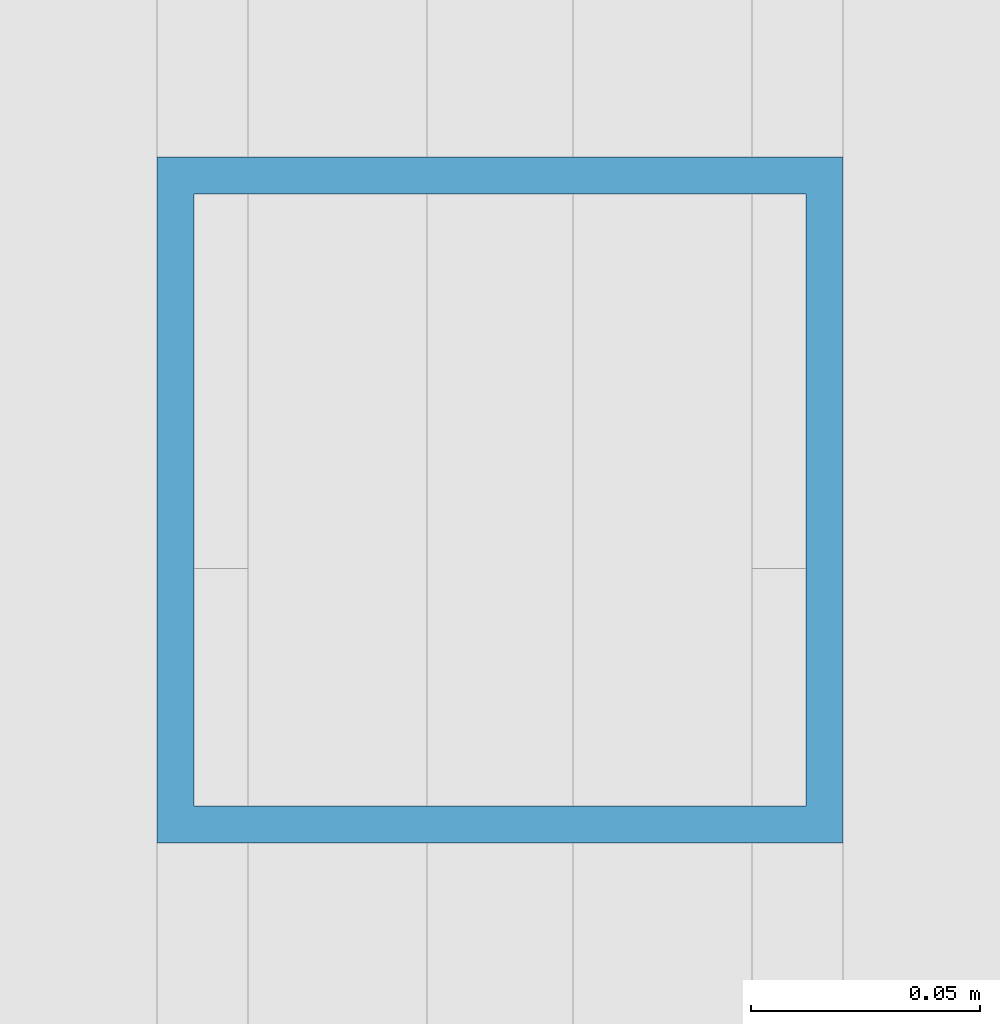
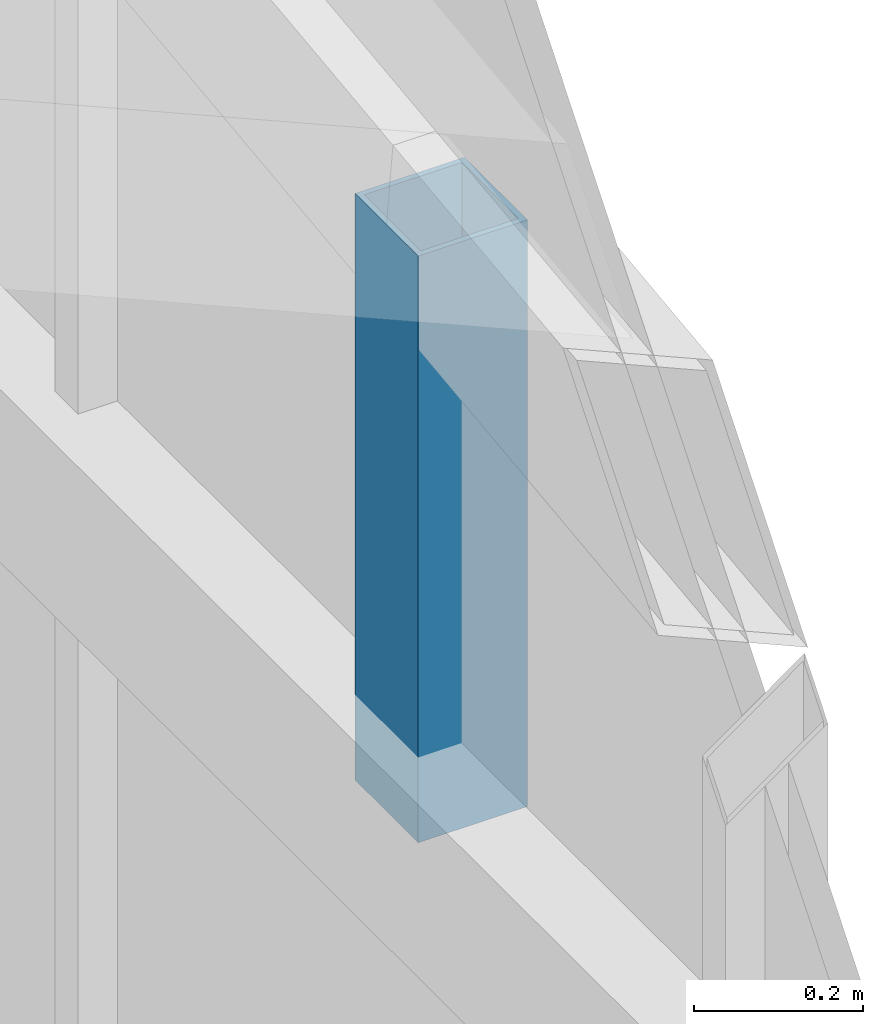
# One storey, part 81 of 104: 1 member.
"""IFC4 building model written with IfcOpenShell, lengths in metres."""

from ifc_helpers import new_model, si_unit, direction, frame, origin, origin_2d, place, context, subcontext, project, spatial, hollow_rectangle, extrude, material, material_profile, profile_set, type_object, element, save


model = new_model("IFC4")

# Units and contexts
model_context = context("Model", 3, precision=1e-05, world=origin(), true_north=direction((0.0, 1.0)))
body_context = subcontext(model_context, "Body", "Model", "MODEL_VIEW")
ifc_project = project(units=[si_unit("LENGTHUNIT", "METRE"), si_unit("AREAUNIT", "SQUARE_METRE"), si_unit("VOLUMEUNIT", "CUBIC_METRE"), si_unit("PLANEANGLEUNIT", "RADIAN"), si_unit("MASSUNIT", "GRAM", prefix="KILO")], contexts=[model_context])

# Site, building, storey
site_placement = place(None, origin())
site = spatial("IfcSite", under=ifc_project, at=site_placement, CompositionType="ELEMENT")
building_placement = place(site_placement, origin())
building = spatial("IfcBuilding", under=site, at=building_placement, Name="Solvenia Promenade Tram Depot", CompositionType="ELEMENT")
storey_placement = place(building_placement, frame((0.0, 0.0, 9.0)))
storey = spatial("IfcBuildingStorey", under=building, at=storey_placement, Name="L02", CompositionType="ELEMENT", Elevation=9.0)

# Member
ifc_material = material(Name="Structural steel ASTM A500 Gr. C", Category="steel")
ifc_material_profile = material_profile(ifc_material, hollow_rectangle(XDim=0.14990234375, YDim=0.14990234375, WallThickness=0.008056640625, at=origin_2d()), Name="HSS150x150x8", Category="steel")
ifc_profile_set = profile_set([ifc_material_profile], Name="Structural steel ASTM A500 Gr. C")
member_type = type_object("IfcMemberType", Name="Post-HSS150x150x8", PredefinedType="POST", material=ifc_profile_set)
member_placement = place(storey_placement, frame((186.0, 45.0, 4.47998046875), z_axis=(0.0, 0.0, 1.0), x_axis=(1.0, 0.0, 0.0)))
element("IfcMember", 1, at=member_placement, inside=storey, type_object=member_type, Name="Workshop Sawtooth Mid Post 1-10", PredefinedType="POST", context=body_context, shape_type="SweptSolid", body=[
    extrude(hollow_rectangle(XDim=0.14990234375, YDim=0.14990234375, WallThickness=0.008056640625, at=origin_2d()), origin(), (0.0, 0.0, 1.0), 0.85009765625),
])

save(model, "model.ifc")
